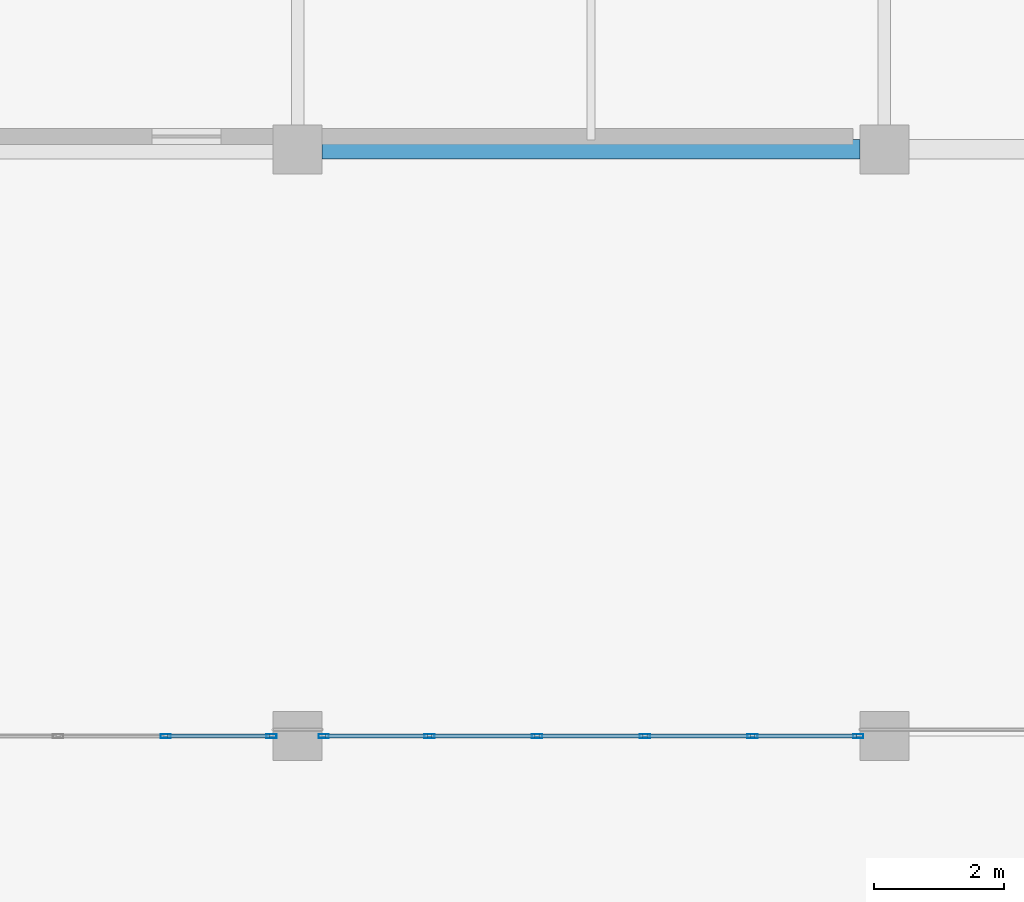
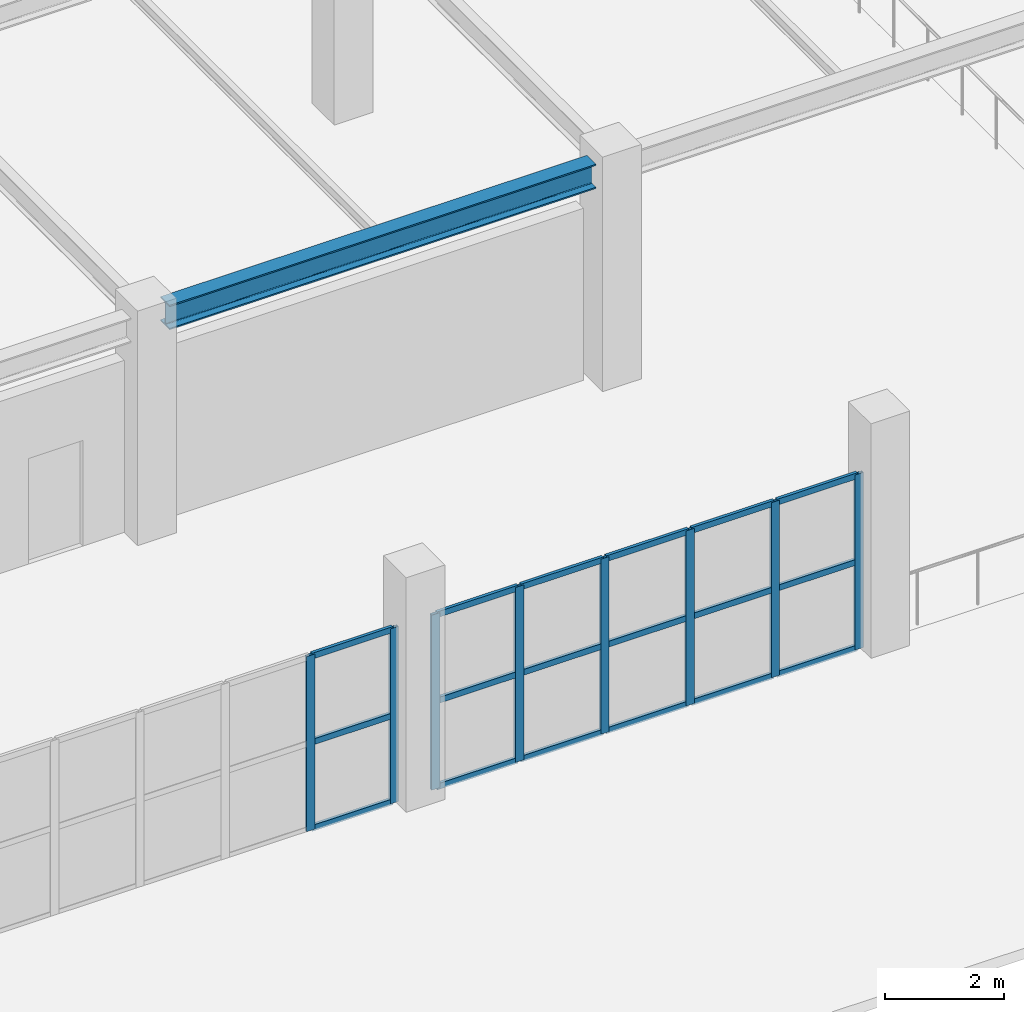
# One storey, part 19 of 89: 26 members, 1 beam, 2 elements without a shape of their own.
"""IFC4 building model written with IfcOpenShell, lengths in metres."""

from ifc_helpers import new_model, si_unit, direction, frame, origin, origin_2d, place, context, subcontext, project, spatial, hollow_rectangle, i_section, extrude, material, layer, layer_set, material_profile, profile_set, type_object, element, aggregate, save


model = new_model("IFC4")

# Units and contexts
model_context = context("Model", 3, precision=1e-05, world=origin(), true_north=direction((0.0, 1.0)))
body_context = subcontext(model_context, "Body", "Model", "MODEL_VIEW")
ifc_project = project(units=[si_unit("LENGTHUNIT", "METRE"), si_unit("AREAUNIT", "SQUARE_METRE"), si_unit("VOLUMEUNIT", "CUBIC_METRE"), si_unit("PLANEANGLEUNIT", "RADIAN"), si_unit("MASSUNIT", "GRAM", prefix="KILO")], contexts=[model_context])

# Site, building, storey
site_placement = place(None, origin())
site = spatial("IfcSite", under=ifc_project, at=site_placement, CompositionType="ELEMENT")
building_placement = place(site_placement, origin())
building = spatial("IfcBuilding", under=site, at=building_placement, Name="Dornveld Trade and Exhibition Forum", CompositionType="ELEMENT")
storey_placement = place(building_placement, frame((0.0, 0.0, 12.0)))
storey = spatial("IfcBuildingStorey", under=building, at=storey_placement, Name="L02", CompositionType="ELEMENT", Elevation=12.0)

# Beam
ifc_material_1 = material(Name="Steel S355J2", Category="steel")
ifc_material_profile_1 = material_profile(ifc_material_1, i_section(OverallWidth=0.300048828125, OverallDepth=0.5, WebThickness=0.014404296875, FlangeThickness=0.028076171875, FilletRadius=0.027099609375, at=origin_2d()), Name="HEB 500")
ifc_profile_set_1 = profile_set([ifc_material_profile_1], Name="Steel S355J2")
beam_type = type_object("IfcBeamType", Name="BM-GIR-HEB500", PredefinedType="USERDEFINED", material=ifc_profile_set_1)
beam_placement = place(storey_placement, frame((135.37109375, 45.0, 4.27001953125), z_axis=(1.0, 0.0, 0.0), x_axis=(0.0, 1.0, 0.0)))
element("IfcBeam", 1, at=beam_placement, inside=storey, type_object=beam_type, Name="L02 X-girder 1472", ObjectType="GIRDER", PredefinedType="USERDEFINED", context=body_context, shape_type="SweptSolid", body=[
    extrude(i_section(OverallWidth=0.300048828125, OverallDepth=0.5, WebThickness=0.014404296875, FlangeThickness=0.028076171875, FilletRadius=0.027099609375, at=origin_2d()), origin(), (0.0, 0.0, 1.0), 8.2578125),
])

# Curtain wall, members
ifc_material_2 = material(Name="Dark-bronze anodised aluminium and low-E glass", Category="aluminium")
ifc_layer_1 = layer(ifc_material_2, 0.18701171875)
ifc_layer_set_1 = layer_set([ifc_layer_1], Name="Dark-bronze anodised aluminium and low-E glass")
curtain_wall_type_1 = type_object("IfcCurtainWallType", Name="CW-SYS-15", PredefinedType="USERDEFINED", material=ifc_layer_set_1)
curtain_wall_1_placement = place(storey_placement, origin())
curtain_wall_1 = element("IfcCurtainWall", 2, at=curtain_wall_1_placement, inside=storey, type_object=curtain_wall_type_1, Name="L02 unitised curtain wall 51", ObjectType="UNITISED_CURTAIN_WALL", PredefinedType="USERDEFINED")
ifc_material_3 = material(Name="Dark-bronze anodised aluminium", Category="aluminium")
ifc_material_profile_2 = material_profile(ifc_material_3, hollow_rectangle(XDim=0.06005859375, YDim=0.159912109375, WallThickness=0.00390625, at=origin_2d()), Name="RHS 160x60x4")
ifc_profile_set_2 = profile_set([ifc_material_profile_2], Name="Dark-bronze anodised aluminium")
member_type_1 = type_object("IfcMemberType", Name="CW-MUL-160", PredefinedType="MULLION", material=ifc_profile_set_2)
member_1_placement = place(storey_placement, frame((132.977294921875, 36.0, -0.00390625), z_axis=(0.0, 0.0, 1.0), x_axis=(0.0, 1.0, 0.0)))
member_1 = element("IfcMember", 3, at=member_1_placement, type_object=member_type_1, Name="CW-15 mullion 5", PredefinedType="MULLION", context=body_context, shape_type="SweptSolid", body=[
    extrude(hollow_rectangle(XDim=0.06005859375, YDim=0.159912109375, WallThickness=0.00390625, at=origin_2d()), origin(), (0.0, 0.0, 1.0), 3.583984375),
])
member_2_placement = place(storey_placement, frame((134.59912109375, 36.0, -0.00390625), z_axis=(0.0, 0.0, 1.0), x_axis=(0.0, 1.0, 0.0)))
member_2 = element("IfcMember", 4, at=member_2_placement, type_object=member_type_1, Name="CW-15 mullion 6", PredefinedType="MULLION", context=body_context, shape_type="SweptSolid", body=[
    extrude(hollow_rectangle(XDim=0.06005859375, YDim=0.159912109375, WallThickness=0.00390625, at=origin_2d()), origin(), (0.0, 0.0, 1.0), 3.583984375),
])

ifc_material_4 = material(Name="Dark-bronze anodised aluminium and low-E glass", Category="aluminium")
ifc_layer_2 = layer(ifc_material_4, 0.18994140625)
ifc_layer_set_2 = layer_set([ifc_layer_2], Name="Dark-bronze anodised aluminium and low-E glass")
curtain_wall_type_2 = type_object("IfcCurtainWallType", Name="CW-SYS-16", PredefinedType="USERDEFINED", material=ifc_layer_set_2)
curtain_wall_2_placement = place(storey_placement, origin())
curtain_wall_2 = element("IfcCurtainWall", 5, at=curtain_wall_2_placement, inside=storey, type_object=curtain_wall_type_2, Name="L02 unitised curtain wall 52", ObjectType="UNITISED_CURTAIN_WALL", PredefinedType="USERDEFINED")
member_3_placement = place(storey_placement, frame((135.40087890625, 36.0, -0.00390625), z_axis=(0.0, 0.0, 1.0), x_axis=(0.0, 1.0, 0.0)))
member_3 = element("IfcMember", 6, at=member_3_placement, type_object=member_type_1, Name="CW-16 mullion 1", PredefinedType="MULLION", context=body_context, shape_type="SweptSolid", body=[
    extrude(hollow_rectangle(XDim=0.06005859375, YDim=0.159912109375, WallThickness=0.00390625, at=origin_2d()), origin(), (0.0, 0.0, 1.0), 3.583984375),
])
member_4_placement = place(storey_placement, frame((137.022705078125, 36.0, -0.00390625), z_axis=(0.0, 0.0, 1.0), x_axis=(0.0, 1.0, 0.0)))
member_4 = element("IfcMember", 7, at=member_4_placement, type_object=member_type_1, Name="CW-16 mullion 2", PredefinedType="MULLION", context=body_context, shape_type="SweptSolid", body=[
    extrude(hollow_rectangle(XDim=0.06005859375, YDim=0.159912109375, WallThickness=0.00390625, at=origin_2d()), origin(), (0.0, 0.0, 1.0), 3.583984375),
])
member_5_placement = place(storey_placement, frame((138.67431640625, 36.0, -0.00390625), z_axis=(0.0, 0.0, 1.0), x_axis=(0.0, 1.0, 0.0)))
member_5 = element("IfcMember", 8, at=member_5_placement, type_object=member_type_1, Name="CW-16 mullion 3", PredefinedType="MULLION", context=body_context, shape_type="SweptSolid", body=[
    extrude(hollow_rectangle(XDim=0.06005859375, YDim=0.159912109375, WallThickness=0.00390625, at=origin_2d()), origin(), (0.0, 0.0, 1.0), 3.583984375),
])
member_6_placement = place(storey_placement, frame((140.32568359375, 36.0, -0.00390625), z_axis=(0.0, 0.0, 1.0), x_axis=(0.0, 1.0, 0.0)))
member_6 = element("IfcMember", 9, at=member_6_placement, type_object=member_type_1, Name="CW-16 mullion 4", PredefinedType="MULLION", context=body_context, shape_type="SweptSolid", body=[
    extrude(hollow_rectangle(XDim=0.06005859375, YDim=0.159912109375, WallThickness=0.00390625, at=origin_2d()), origin(), (0.0, 0.0, 1.0), 3.583984375),
])
member_7_placement = place(storey_placement, frame((141.977294921875, 36.0, -0.00390625), z_axis=(0.0, 0.0, 1.0), x_axis=(0.0, 1.0, 0.0)))
member_7 = element("IfcMember", 10, at=member_7_placement, type_object=member_type_1, Name="CW-16 mullion 5", PredefinedType="MULLION", context=body_context, shape_type="SweptSolid", body=[
    extrude(hollow_rectangle(XDim=0.06005859375, YDim=0.159912109375, WallThickness=0.00390625, at=origin_2d()), origin(), (0.0, 0.0, 1.0), 3.583984375),
])
member_8_placement = place(storey_placement, frame((143.59912109375, 36.0, -0.00390625), z_axis=(0.0, 0.0, 1.0), x_axis=(0.0, 1.0, 0.0)))
member_8 = element("IfcMember", 11, at=member_8_placement, type_object=member_type_1, Name="CW-16 mullion 6", PredefinedType="MULLION", context=body_context, shape_type="SweptSolid", body=[
    extrude(hollow_rectangle(XDim=0.06005859375, YDim=0.159912109375, WallThickness=0.00390625, at=origin_2d()), origin(), (0.0, 0.0, 1.0), 3.583984375),
])

# Member
ifc_material_5 = material(Name="Dark-bronze anodised aluminium", Category="aluminium")
ifc_material_profile_3 = material_profile(ifc_material_5, hollow_rectangle(XDim=0.06005859375, YDim=0.1201171875, WallThickness=0.00390625, at=origin_2d()), Name="RHS 120x60x4")
ifc_profile_set_3 = profile_set([ifc_material_profile_3], Name="Dark-bronze anodised aluminium")
member_type_2 = type_object("IfcMemberType", Name="CW-TRN-120", PredefinedType="USERDEFINED", material=ifc_profile_set_3)
member_9_placement = place(storey_placement, frame((133.00732421875, 36.0, 0.02587890625), z_axis=(1.0, 0.0, 0.0), x_axis=(0.0, 1.0, 0.0)))
member_9 = element("IfcMember", 12, at=member_9_placement, type_object=member_type_2, Name="CW-15 transom 5.1", ObjectType="TRANSOM", PredefinedType="USERDEFINED", context=body_context, shape_type="SweptSolid", body=[
    extrude(hollow_rectangle(XDim=0.06005859375, YDim=0.1201171875, WallThickness=0.00390625, at=origin_2d()), origin(), (0.0, 0.0, 1.0), 1.561767578125),
])

member_10_placement = place(storey_placement, frame((133.00732421875, 36.0, 1.7880859375), z_axis=(1.0, 0.0, 0.0), x_axis=(0.0, 1.0, 0.0)))
member_10 = element("IfcMember", 13, at=member_10_placement, type_object=member_type_2, Name="CW-15 transom 5.2", ObjectType="TRANSOM", PredefinedType="USERDEFINED", context=body_context, shape_type="SweptSolid", body=[
    extrude(hollow_rectangle(XDim=0.06005859375, YDim=0.1201171875, WallThickness=0.00390625, at=origin_2d()), origin(), (0.0, 0.0, 1.0), 1.561767578125),
])

member_11_placement = place(storey_placement, frame((133.00732421875, 36.0, 3.550048828125), z_axis=(1.0, 0.0, 0.0), x_axis=(0.0, 1.0, 0.0)))
member_11 = element("IfcMember", 14, at=member_11_placement, type_object=member_type_2, Name="CW-15 transom 5.3", ObjectType="TRANSOM", PredefinedType="USERDEFINED", context=body_context, shape_type="SweptSolid", body=[
    extrude(hollow_rectangle(XDim=0.06005859375, YDim=0.1201171875, WallThickness=0.00390625, at=origin_2d()), origin(), (0.0, 0.0, 1.0), 1.561767578125),
])

aggregate(curtain_wall_1, [member_1, member_2, member_9, member_10, member_11])

member_12_placement = place(storey_placement, frame((135.430908203125, 36.0, 0.02587890625), z_axis=(1.0, 0.0, 0.0), x_axis=(0.0, 1.0, 0.0)))
member_12 = element("IfcMember", 15, at=member_12_placement, type_object=member_type_2, Name="CW-16 transom 1.1", ObjectType="TRANSOM", PredefinedType="USERDEFINED", context=body_context, shape_type="SweptSolid", body=[
    extrude(hollow_rectangle(XDim=0.06005859375, YDim=0.1201171875, WallThickness=0.00390625, at=origin_2d()), origin(), (0.0, 0.0, 1.0), 1.561767578125),
])

member_13_placement = place(storey_placement, frame((135.430908203125, 36.0, 1.7880859375), z_axis=(1.0, 0.0, 0.0), x_axis=(0.0, 1.0, 0.0)))
member_13 = element("IfcMember", 16, at=member_13_placement, type_object=member_type_2, Name="CW-16 transom 1.2", ObjectType="TRANSOM", PredefinedType="USERDEFINED", context=body_context, shape_type="SweptSolid", body=[
    extrude(hollow_rectangle(XDim=0.06005859375, YDim=0.1201171875, WallThickness=0.00390625, at=origin_2d()), origin(), (0.0, 0.0, 1.0), 1.561767578125),
])

member_14_placement = place(storey_placement, frame((135.430908203125, 36.0, 3.550048828125), z_axis=(1.0, 0.0, 0.0), x_axis=(0.0, 1.0, 0.0)))
member_14 = element("IfcMember", 17, at=member_14_placement, type_object=member_type_2, Name="CW-16 transom 1.3", ObjectType="TRANSOM", PredefinedType="USERDEFINED", context=body_context, shape_type="SweptSolid", body=[
    extrude(hollow_rectangle(XDim=0.06005859375, YDim=0.1201171875, WallThickness=0.00390625, at=origin_2d()), origin(), (0.0, 0.0, 1.0), 1.561767578125),
])

member_15_placement = place(storey_placement, frame((137.052490234375, 36.0, 0.02587890625), z_axis=(1.0, 0.0, 0.0), x_axis=(0.0, 1.0, 0.0)))
member_15 = element("IfcMember", 18, at=member_15_placement, type_object=member_type_2, Name="CW-16 transom 2.1", ObjectType="TRANSOM", PredefinedType="USERDEFINED", context=body_context, shape_type="SweptSolid", body=[
    extrude(hollow_rectangle(XDim=0.06005859375, YDim=0.1201171875, WallThickness=0.00390625, at=origin_2d()), origin(), (0.0, 0.0, 1.0), 1.591796875),
])

member_16_placement = place(storey_placement, frame((137.052490234375, 36.0, 1.7880859375), z_axis=(1.0, 0.0, 0.0), x_axis=(0.0, 1.0, 0.0)))
member_16 = element("IfcMember", 19, at=member_16_placement, type_object=member_type_2, Name="CW-16 transom 2.2", ObjectType="TRANSOM", PredefinedType="USERDEFINED", context=body_context, shape_type="SweptSolid", body=[
    extrude(hollow_rectangle(XDim=0.06005859375, YDim=0.1201171875, WallThickness=0.00390625, at=origin_2d()), origin(), (0.0, 0.0, 1.0), 1.591796875),
])

member_17_placement = place(storey_placement, frame((137.052490234375, 36.0, 3.550048828125), z_axis=(1.0, 0.0, 0.0), x_axis=(0.0, 1.0, 0.0)))
member_17 = element("IfcMember", 20, at=member_17_placement, type_object=member_type_2, Name="CW-16 transom 2.3", ObjectType="TRANSOM", PredefinedType="USERDEFINED", context=body_context, shape_type="SweptSolid", body=[
    extrude(hollow_rectangle(XDim=0.06005859375, YDim=0.1201171875, WallThickness=0.00390625, at=origin_2d()), origin(), (0.0, 0.0, 1.0), 1.591796875),
])

member_18_placement = place(storey_placement, frame((138.7041015625, 36.0, 0.02587890625), z_axis=(1.0, 0.0, 0.0), x_axis=(0.0, 1.0, 0.0)))
member_18 = element("IfcMember", 21, at=member_18_placement, type_object=member_type_2, Name="CW-16 transom 3.1", ObjectType="TRANSOM", PredefinedType="USERDEFINED", context=body_context, shape_type="SweptSolid", body=[
    extrude(hollow_rectangle(XDim=0.06005859375, YDim=0.1201171875, WallThickness=0.00390625, at=origin_2d()), origin(), (0.0, 0.0, 1.0), 1.591796875),
])

member_19_placement = place(storey_placement, frame((138.7041015625, 36.0, 1.7880859375), z_axis=(1.0, 0.0, 0.0), x_axis=(0.0, 1.0, 0.0)))
member_19 = element("IfcMember", 22, at=member_19_placement, type_object=member_type_2, Name="CW-16 transom 3.2", ObjectType="TRANSOM", PredefinedType="USERDEFINED", context=body_context, shape_type="SweptSolid", body=[
    extrude(hollow_rectangle(XDim=0.06005859375, YDim=0.1201171875, WallThickness=0.00390625, at=origin_2d()), origin(), (0.0, 0.0, 1.0), 1.591796875),
])

member_20_placement = place(storey_placement, frame((138.7041015625, 36.0, 3.550048828125), z_axis=(1.0, 0.0, 0.0), x_axis=(0.0, 1.0, 0.0)))
member_20 = element("IfcMember", 23, at=member_20_placement, type_object=member_type_2, Name="CW-16 transom 3.3", ObjectType="TRANSOM", PredefinedType="USERDEFINED", context=body_context, shape_type="SweptSolid", body=[
    extrude(hollow_rectangle(XDim=0.06005859375, YDim=0.1201171875, WallThickness=0.00390625, at=origin_2d()), origin(), (0.0, 0.0, 1.0), 1.591796875),
])

member_21_placement = place(storey_placement, frame((140.355712890625, 36.0, 0.02587890625), z_axis=(1.0, 0.0, 0.0), x_axis=(0.0, 1.0, 0.0)))
member_21 = element("IfcMember", 24, at=member_21_placement, type_object=member_type_2, Name="CW-16 transom 4.1", ObjectType="TRANSOM", PredefinedType="USERDEFINED", context=body_context, shape_type="SweptSolid", body=[
    extrude(hollow_rectangle(XDim=0.06005859375, YDim=0.1201171875, WallThickness=0.00390625, at=origin_2d()), origin(), (0.0, 0.0, 1.0), 1.591796875),
])

member_22_placement = place(storey_placement, frame((140.355712890625, 36.0, 1.7880859375), z_axis=(1.0, 0.0, 0.0), x_axis=(0.0, 1.0, 0.0)))
member_22 = element("IfcMember", 25, at=member_22_placement, type_object=member_type_2, Name="CW-16 transom 4.2", ObjectType="TRANSOM", PredefinedType="USERDEFINED", context=body_context, shape_type="SweptSolid", body=[
    extrude(hollow_rectangle(XDim=0.06005859375, YDim=0.1201171875, WallThickness=0.00390625, at=origin_2d()), origin(), (0.0, 0.0, 1.0), 1.591796875),
])

member_23_placement = place(storey_placement, frame((140.355712890625, 36.0, 3.550048828125), z_axis=(1.0, 0.0, 0.0), x_axis=(0.0, 1.0, 0.0)))
member_23 = element("IfcMember", 26, at=member_23_placement, type_object=member_type_2, Name="CW-16 transom 4.3", ObjectType="TRANSOM", PredefinedType="USERDEFINED", context=body_context, shape_type="SweptSolid", body=[
    extrude(hollow_rectangle(XDim=0.06005859375, YDim=0.1201171875, WallThickness=0.00390625, at=origin_2d()), origin(), (0.0, 0.0, 1.0), 1.591796875),
])

member_24_placement = place(storey_placement, frame((142.00732421875, 36.0, 0.02587890625), z_axis=(1.0, 0.0, 0.0), x_axis=(0.0, 1.0, 0.0)))
member_24 = element("IfcMember", 27, at=member_24_placement, type_object=member_type_2, Name="CW-16 transom 5.1", ObjectType="TRANSOM", PredefinedType="USERDEFINED", context=body_context, shape_type="SweptSolid", body=[
    extrude(hollow_rectangle(XDim=0.06005859375, YDim=0.1201171875, WallThickness=0.00390625, at=origin_2d()), origin(), (0.0, 0.0, 1.0), 1.561767578125),
])

member_25_placement = place(storey_placement, frame((142.00732421875, 36.0, 1.7880859375), z_axis=(1.0, 0.0, 0.0), x_axis=(0.0, 1.0, 0.0)))
member_25 = element("IfcMember", 28, at=member_25_placement, type_object=member_type_2, Name="CW-16 transom 5.2", ObjectType="TRANSOM", PredefinedType="USERDEFINED", context=body_context, shape_type="SweptSolid", body=[
    extrude(hollow_rectangle(XDim=0.06005859375, YDim=0.1201171875, WallThickness=0.00390625, at=origin_2d()), origin(), (0.0, 0.0, 1.0), 1.561767578125),
])

member_26_placement = place(storey_placement, frame((142.00732421875, 36.0, 3.550048828125), z_axis=(1.0, 0.0, 0.0), x_axis=(0.0, 1.0, 0.0)))
member_26 = element("IfcMember", 29, at=member_26_placement, type_object=member_type_2, Name="CW-16 transom 5.3", ObjectType="TRANSOM", PredefinedType="USERDEFINED", context=body_context, shape_type="SweptSolid", body=[
    extrude(hollow_rectangle(XDim=0.06005859375, YDim=0.1201171875, WallThickness=0.00390625, at=origin_2d()), origin(), (0.0, 0.0, 1.0), 1.561767578125),
])

aggregate(curtain_wall_2, [member_3, member_4, member_5, member_6, member_7, member_8, member_12, member_13, member_14, member_15, member_16, member_17, member_18, member_19, member_20, member_21, member_22, member_23, member_24, member_25, member_26])

save(model, "model.ifc")
